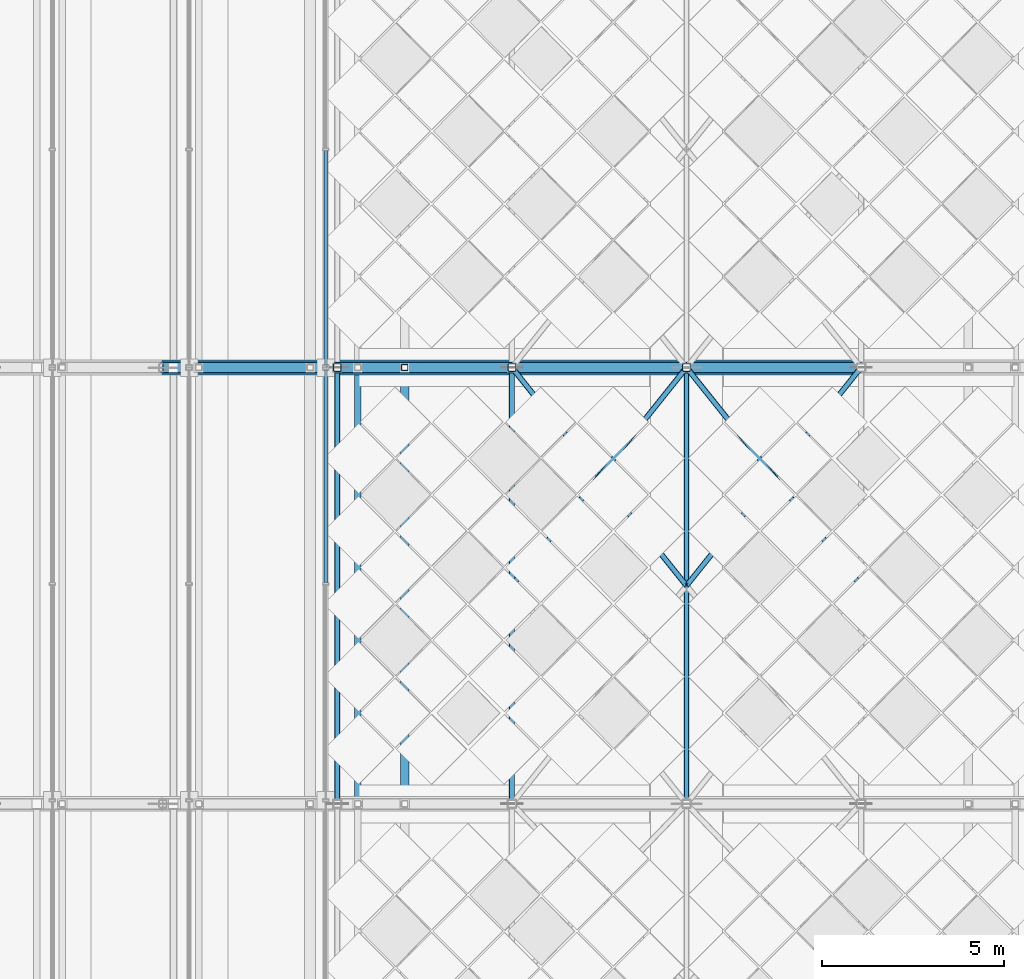
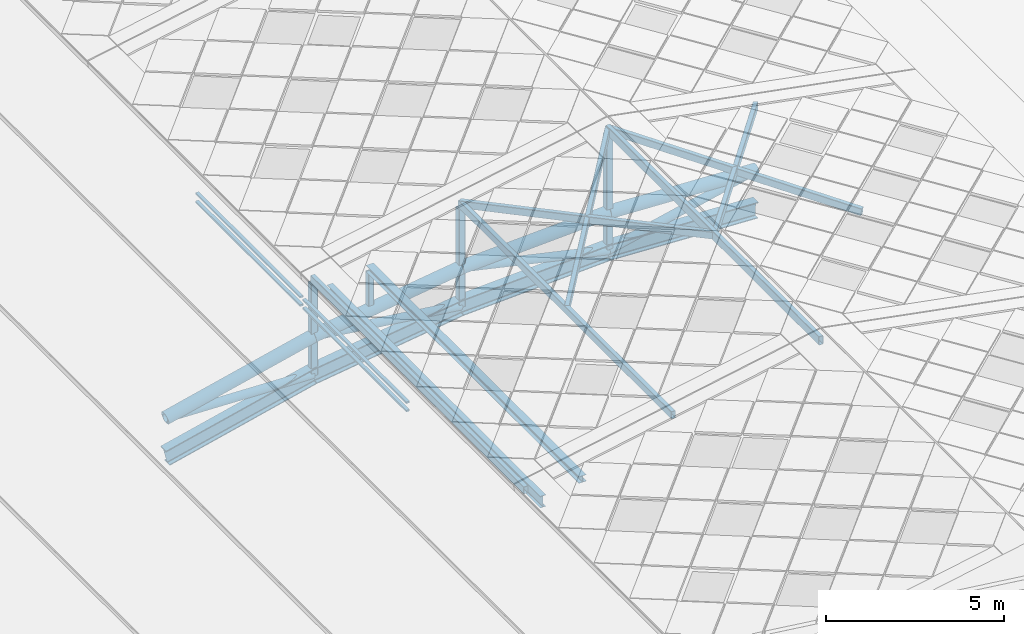
# One storey, part 13 of 117: 29 members, 2 elements without a shape of their own.
"""IFC4 building model written with IfcOpenShell, lengths in metres."""

from ifc_helpers import new_model, si_unit, direction, frame, origin, origin_2d, place, context, subcontext, project, spatial, hollow_rectangle, hollow_circle, i_section, extrude, material, material_profile, profile_set, type_object, element, aggregate, save


model = new_model("IFC4")

# Units and contexts
model_context = context("Model", 3, precision=1e-05, world=origin(), true_north=direction((0.0, 1.0)))
body_context = subcontext(model_context, "Body", "Model", "MODEL_VIEW")
ifc_project = project(units=[si_unit("LENGTHUNIT", "METRE"), si_unit("AREAUNIT", "SQUARE_METRE"), si_unit("VOLUMEUNIT", "CUBIC_METRE"), si_unit("PLANEANGLEUNIT", "RADIAN"), si_unit("MASSUNIT", "GRAM", prefix="KILO")], contexts=[model_context])

# Site, building, storey
site_placement = place(None, origin())
site = spatial("IfcSite", under=ifc_project, at=site_placement, CompositionType="ELEMENT")
building_placement = place(site_placement, origin())
building = spatial("IfcBuilding", under=site, at=building_placement, Name="Merenkruunu Market Hall", CompositionType="ELEMENT")
storey_placement = place(building_placement, frame((0.0, 0.0, 22.800048828125)))
storey = spatial("IfcBuildingStorey", under=building, at=storey_placement, Name="RF", CompositionType="ELEMENT", Elevation=22.800048828125)

# Members
ifc_material_1 = material(Name="Steel S355ML", Category="steel")
ifc_material_profile_1 = material_profile(ifc_material_1, hollow_circle(Radius=0.203125, WallThickness=0.01611328125, at=origin_2d()), Name="CHS 406.4x16")
ifc_profile_set_1 = profile_set([ifc_material_profile_1], Name="Steel S355ML")
member_type_1 = type_object("IfcMemberType", Name="Arch Truss Chord TC02", PredefinedType="CHORD", material=ifc_profile_set_1)
member_1_placement = place(storey_placement, frame((14.39990234375, 39.60009765625, -3.47998046875), z_axis=(0.972941974064, 0.0, 0.231049594471), x_axis=(0.0, 1.0, 0.0)))
element("IfcMember", 1, at=member_1_placement, inside=storey, type_object=member_type_1, Name="TRUSS-AT-3-TOP-04", PredefinedType="CHORD", context=body_context, shape_type="SweptSolid", body=[
    extrude(hollow_circle(Radius=0.203125, WallThickness=0.01611328125, at=origin_2d()), origin(), (0.0, 0.0, 1.0), 4.93359375),
])
member_2_placement = place(storey_placement, frame((19.199951171875, 39.60009765625, -2.340087890625), z_axis=(0.990338564897, 0.0, 0.138670569613), x_axis=(0.0, 1.0, 0.0)))
element("IfcMember", 2, at=member_2_placement, inside=storey, type_object=member_type_1, Name="TRUSS-AT-3-TOP-05", PredefinedType="CHORD", context=body_context, shape_type="SweptSolid", body=[
    extrude(hollow_circle(Radius=0.203125, WallThickness=0.01611328125, at=origin_2d()), origin(), (0.0, 0.0, 1.0), 4.846923828125),
])
for number, where, z_axis, x_axis, name in (
    (3, (24.0, 39.60009765625, -1.66796875), (0.998932934692, 0.0, 0.046184326211), (0.0, 1.0, 0.0), "TRUSS-AT-3-TOP-06"),
    (4, (28.800048828125, 39.60009765625, -1.446044921875), (0.998932934692, 0.0, -0.046184326211), (0.0, 1.0, 0.0), "TRUSS-AT-3-TOP-07"),
):
    element("IfcMember", number, at=place(storey_placement, frame(where, z_axis=z_axis, x_axis=x_axis)), inside=storey, type_object=member_type_1, Name=name, PredefinedType="CHORD", context=body_context, shape_type="SweptSolid", body=[
        extrude(hollow_circle(Radius=0.203125, WallThickness=0.01611328125, at=origin_2d()), origin(), (0.0, 0.0, 1.0), 4.80517578125),
    ])
ifc_material_profile_2 = material_profile(ifc_material_1, i_section(OverallWidth=0.300048828125, OverallDepth=0.550048828125, WebThickness=0.014892578125, FlangeThickness=0.029052734375, FilletRadius=0.027099609375, at=origin_2d()), Name="HEB 550")
ifc_profile_set_2 = profile_set([ifc_material_profile_2], Name="Steel S355ML")
member_type_2 = type_object("IfcMemberType", Name="Arch Truss Chord TC03", PredefinedType="CHORD", material=ifc_profile_set_2)
member_3_placement = place(storey_placement, frame((14.39990234375, 39.60009765625, -4.780029296875), z_axis=(0.972941974064, 0.0, 0.231049594471), x_axis=(0.0, 1.0, 0.0)))
element("IfcMember", 5, at=member_3_placement, inside=storey, type_object=member_type_2, Name="TRUSS-AT-3-BOT-04", PredefinedType="CHORD", context=body_context, shape_type="SweptSolid", body=[
    extrude(i_section(OverallWidth=0.300048828125, OverallDepth=0.550048828125, WebThickness=0.014892578125, FlangeThickness=0.029052734375, FilletRadius=0.027099609375, at=origin_2d()), origin(), (0.0, 0.0, 1.0), 4.93359375),
])
member_4_placement = place(storey_placement, frame((19.199951171875, 39.60009765625, -3.64013671875), z_axis=(0.990338564897, 0.0, 0.138670569613), x_axis=(0.0, 1.0, 0.0)))
element("IfcMember", 6, at=member_4_placement, inside=storey, type_object=member_type_2, Name="TRUSS-AT-3-BOT-05", PredefinedType="CHORD", context=body_context, shape_type="SweptSolid", body=[
    extrude(i_section(OverallWidth=0.300048828125, OverallDepth=0.550048828125, WebThickness=0.014892578125, FlangeThickness=0.029052734375, FilletRadius=0.027099609375, at=origin_2d()), origin(), (0.0, 0.0, 1.0), 4.846923828125),
])
for number, where, z_axis, x_axis, name in (
    (7, (24.0, 39.60009765625, -2.968017578125), (0.998932934692, 0.0, 0.046184326211), (0.0, 1.0, 0.0), "TRUSS-AT-3-BOT-06"),
    (8, (28.800048828125, 39.60009765625, -2.74609375), (0.998932934692, 0.0, -0.046184326211), (0.0, 1.0, 0.0), "TRUSS-AT-3-BOT-07"),
):
    element("IfcMember", number, at=place(storey_placement, frame(where, z_axis=z_axis, x_axis=x_axis)), inside=storey, type_object=member_type_2, Name=name, PredefinedType="CHORD", context=body_context, shape_type="SweptSolid", body=[
        extrude(i_section(OverallWidth=0.300048828125, OverallDepth=0.550048828125, WebThickness=0.014892578125, FlangeThickness=0.029052734375, FilletRadius=0.027099609375, at=origin_2d()), origin(), (0.0, 0.0, 1.0), 4.80517578125),
    ])

# Curtain wall, members
ifc_material_2 = material(Name="Powder-coated aluminium", Category="aluminium")
curtain_wall_type = type_object("IfcCurtainWallType", Name="Clerestory Curtain Band CL05", PredefinedType="USERDEFINED", material=ifc_material_2)
curtain_wall_1_placement = place(storey_placement, origin())
curtain_wall_1 = element("IfcCurtainWall", 9, at=curtain_wall_1_placement, inside=storey, type_object=curtain_wall_type, Name="CW-RF-CWM04-113", ObjectType="CLERESTORY_BAND", PredefinedType="USERDEFINED")
ifc_material_profile_3 = material_profile(ifc_material_2, hollow_rectangle(XDim=0.06005859375, YDim=0.110107421875, WallThickness=0.00390625, at=origin_2d()), Name="ALU 60x110x4")
ifc_profile_set_3 = profile_set([ifc_material_profile_3], Name="Powder-coated aluminium")
member_type_3 = type_object("IfcMemberType", Name="Curtain Wall Transom CWT03", PredefinedType="USERDEFINED", material=ifc_profile_set_3)
member_5_placement = place(storey_placement, frame((18.8798828125, 33.68505859375, -1.212158203125), z_axis=(0.0, 1.0, 0.0), x_axis=(0.0, 0.0, 1.0)))
member_5 = element("IfcMember", 10, at=member_5_placement, type_object=member_type_3, Name="CL05 transom 4.1", ObjectType="TRANSOM", PredefinedType="USERDEFINED", context=body_context, shape_type="SweptSolid", body=[
    extrude(hollow_rectangle(XDim=0.06005859375, YDim=0.110107421875, WallThickness=0.00390625, at=origin_2d()), origin(), (0.0, 0.0, 1.0), 5.844970703125),
])
member_6_placement = place(storey_placement, frame((18.8798828125, 33.68505859375, -0.924072265625), z_axis=(0.0, 1.0, 0.0), x_axis=(0.0, 0.0, 1.0)))
member_6 = element("IfcMember", 11, at=member_6_placement, type_object=member_type_3, Name="CL05 transom 4.2", ObjectType="TRANSOM", PredefinedType="USERDEFINED", context=body_context, shape_type="SweptSolid", body=[
    extrude(hollow_rectangle(XDim=0.06005859375, YDim=0.110107421875, WallThickness=0.00390625, at=origin_2d()), origin(), (0.0, 0.0, 1.0), 5.844970703125),
])
aggregate(curtain_wall_1, [member_5, member_6])

curtain_wall_2_placement = place(storey_placement, origin())
curtain_wall_2 = element("IfcCurtainWall", 12, at=curtain_wall_2_placement, inside=storey, type_object=curtain_wall_type, Name="CW-RF-CWM04-115", ObjectType="CLERESTORY_BAND", PredefinedType="USERDEFINED")
member_7_placement = place(storey_placement, frame((18.8798828125, 39.669921875, -1.212158203125), z_axis=(0.0, 1.0, 0.0), x_axis=(0.0, 0.0, 1.0)))
member_7 = element("IfcMember", 13, at=member_7_placement, type_object=member_type_3, Name="CL05 transom 1.1", ObjectType="TRANSOM", PredefinedType="USERDEFINED", context=body_context, shape_type="SweptSolid", body=[
    extrude(hollow_rectangle(XDim=0.06005859375, YDim=0.110107421875, WallThickness=0.00390625, at=origin_2d()), origin(), (0.0, 0.0, 1.0), 5.89501953125),
])
member_8_placement = place(storey_placement, frame((18.8798828125, 39.669921875, -0.924072265625), z_axis=(0.0, 1.0, 0.0), x_axis=(0.0, 0.0, 1.0)))
member_8 = element("IfcMember", 14, at=member_8_placement, type_object=member_type_3, Name="CL05 transom 1.2", ObjectType="TRANSOM", PredefinedType="USERDEFINED", context=body_context, shape_type="SweptSolid", body=[
    extrude(hollow_rectangle(XDim=0.06005859375, YDim=0.110107421875, WallThickness=0.00390625, at=origin_2d()), origin(), (0.0, 0.0, 1.0), 5.89501953125),
])
aggregate(curtain_wall_2, [member_7, member_8])

# Members
ifc_material_profile_4 = material_profile(ifc_material_1, hollow_circle(Radius=0.136474609375, WallThickness=0.012451171875, at=origin_2d()), Name="CHS 273x12.5")
ifc_profile_set_4 = profile_set([ifc_material_profile_4], Name="Steel S355ML")
member_type_4 = type_object("IfcMemberType", Name="Diagonal Sway Brace BR02", PredefinedType="BRACE", material=ifc_profile_set_4)
member_9_placement = place(storey_placement, frame((14.39990234375, 39.60009765625, -3.47998046875), z_axis=(0.999443834494, 0.0, -0.033346989239), x_axis=(0.0, 1.0, 0.0)))
element("IfcMember", 15, at=member_9_placement, inside=storey, type_object=member_type_4, Name="TRUSS-AT-3-DIAG-04", PredefinedType="BRACE", context=body_context, shape_type="SweptSolid", body=[
    extrude(hollow_circle(Radius=0.136474609375, WallThickness=0.012451171875, at=origin_2d()), origin(), (0.0, 0.0, 1.0), 4.802734375),
])
member_10_placement = place(storey_placement, frame((19.199951171875, 39.60009765625, -2.340087890625), z_axis=(0.991551689691, 0.0, -0.129712168551), x_axis=(0.0, 1.0, 0.0)))
element("IfcMember", 16, at=member_10_placement, inside=storey, type_object=member_type_4, Name="TRUSS-AT-3-DIAG-05", PredefinedType="BRACE", context=body_context, shape_type="SweptSolid", body=[
    extrude(hollow_circle(Radius=0.136474609375, WallThickness=0.012451171875, at=origin_2d()), origin(), (0.0, 0.0, 1.0), 4.841064453125),
])
for number, where, z_axis, x_axis, name in (
    (17, (24.0, 39.60009765625, -1.66796875), (0.975691787326, 0.0, -0.219147293262), (0.0, 1.0, 0.0), "TRUSS-AT-3-DIAG-06"),
    (18, (28.800048828125, 39.60009765625, -2.74609375), (0.975691787326, 0.0, 0.219147293262), (0.0, 1.0, 0.0), "TRUSS-AT-3-DIAG-07"),
):
    element("IfcMember", number, at=place(storey_placement, frame(where, z_axis=z_axis, x_axis=x_axis)), inside=storey, type_object=member_type_4, Name=name, PredefinedType="BRACE", context=body_context, shape_type="SweptSolid", body=[
        extrude(hollow_circle(Radius=0.136474609375, WallThickness=0.012451171875, at=origin_2d()), origin(), (0.0, 0.0, 1.0), 4.919677734375),
    ])
ifc_material_3 = material(Name="Steel S355J2", Category="steel")
ifc_material_profile_5 = material_profile(ifc_material_3, hollow_rectangle(XDim=0.219970703125, YDim=0.219970703125, WallThickness=0.012451171875, InnerFilletRadius=0.012451171875, OuterFilletRadius=0.02490234375, at=origin_2d()), Name="SHS 220x220x12.5")
ifc_profile_set_5 = profile_set([ifc_material_profile_5], Name="Steel S355J2")
member_type_5 = type_object("IfcMemberType", Name="Diagonal Sway Brace BR04", PredefinedType="BRACE", material=ifc_profile_set_5)
member_11_placement = place(storey_placement, frame((19.199951171875, 39.60009765625, -3.64013671875), z_axis=(0.0, 0.0, 1.0), x_axis=(1.0, 0.0, 0.0)))
element("IfcMember", 19, at=member_11_placement, inside=storey, type_object=member_type_5, Name="TRUSS-AT-3-POST-04", PredefinedType="BRACE", context=body_context, shape_type="SweptSolid", body=[
    extrude(hollow_rectangle(XDim=0.219970703125, YDim=0.219970703125, WallThickness=0.012451171875, InnerFilletRadius=0.012451171875, OuterFilletRadius=0.02490234375, at=origin_2d()), origin(), (0.0, 0.0, 1.0), 3.1416015625),
])
member_12_placement = place(storey_placement, frame((24.0, 39.60009765625, -2.968017578125), z_axis=(0.0, 0.0, 1.0), x_axis=(1.0, 0.0, 0.0)))
element("IfcMember", 20, at=member_12_placement, inside=storey, type_object=member_type_5, Name="TRUSS-AT-3-POST-05", PredefinedType="BRACE", context=body_context, shape_type="SweptSolid", body=[
    extrude(hollow_rectangle(XDim=0.219970703125, YDim=0.219970703125, WallThickness=0.012451171875, InnerFilletRadius=0.012451171875, OuterFilletRadius=0.02490234375, at=origin_2d()), origin(), (0.0, 0.0, 1.0), 3.3720703125),
])
member_13_placement = place(storey_placement, frame((28.800048828125, 39.60009765625, -2.74609375), z_axis=(0.0, 0.0, 1.0), x_axis=(1.0, 0.0, 0.0)))
element("IfcMember", 21, at=member_13_placement, inside=storey, type_object=member_type_5, Name="TRUSS-AT-3-POST-06", PredefinedType="BRACE", context=body_context, shape_type="SweptSolid", body=[
    extrude(hollow_rectangle(XDim=0.219970703125, YDim=0.219970703125, WallThickness=0.012451171875, InnerFilletRadius=0.012451171875, OuterFilletRadius=0.02490234375, at=origin_2d()), origin(), (0.0, 0.0, 1.0), 4.00244140625),
])
ifc_material_profile_6 = material_profile(ifc_material_3, hollow_rectangle(XDim=0.179931640625, YDim=0.179931640625, WallThickness=0.010009765625, InnerFilletRadius=0.010009765625, OuterFilletRadius=0.02001953125, at=origin_2d()), Name="SHS 180x180x10")
ifc_profile_set_6 = profile_set([ifc_material_profile_6], Name="Steel S355J2")
member_type_6 = type_object("IfcMemberType", Name="Diagonal Sway Brace BR05", PredefinedType="BRACE", material=ifc_profile_set_6)
member_14_placement = place(storey_placement, frame((21.050048828125, 39.60009765625, -1.889892578125), z_axis=(0.0, 0.0, 1.0), x_axis=(1.0, 0.0, 0.0)))
element("IfcMember", 22, at=member_14_placement, inside=storey, type_object=member_type_6, Name="TRUSS-AT-3-RISER-W6-2", PredefinedType="BRACE", context=body_context, shape_type="SweptSolid", body=[
    extrude(hollow_rectangle(XDim=0.179931640625, YDim=0.179931640625, WallThickness=0.010009765625, InnerFilletRadius=0.010009765625, OuterFilletRadius=0.02001953125, at=origin_2d()), origin(), (0.0, 0.0, 1.0), 1.12841796875),
])
ifc_material_profile_7 = material_profile(ifc_material_1, hollow_rectangle(XDim=0.14990234375, YDim=0.25, WallThickness=0.010009765625, InnerFilletRadius=0.010009765625, OuterFilletRadius=0.02001953125, at=origin_2d()), Name="RHS 250x150x10")
ifc_profile_set_7 = profile_set([ifc_material_profile_7], Name="Steel S355ML")
member_type_7 = type_object("IfcMemberType", Name="Roof Purlin Rafter PR04", PredefinedType="PURLIN", material=ifc_profile_set_7)
for number, where, z_axis, x_axis, name in (
    (23, (19.199951171875, 27.60009765625, -0.35546875), (0.0, 1.0, 0.0), (-1.0, 0.0, 0.0), "MEM-CROWN-EAVE-015"),
    (24, (24.0, 27.60009765625, 0.546875), (0.0, 1.0, 0.0), (-1.0, 0.0, 0.0), "MEM-CROWN-MID-016"),
):
    element("IfcMember", number, at=place(storey_placement, frame(where, z_axis=z_axis, x_axis=x_axis)), inside=storey, type_object=member_type_7, Name=name, PredefinedType="PURLIN", context=body_context, shape_type="SweptSolid", body=[
        extrude(hollow_rectangle(XDim=0.14990234375, YDim=0.25, WallThickness=0.010009765625, InnerFilletRadius=0.010009765625, OuterFilletRadius=0.02001953125, at=origin_2d()), origin(), (0.0, 0.0, 1.0), 12.0),
    ])
for number, where, z_axis, x_axis, name in (
    (25, (24.0, 33.60009765625, 0.546875), (0.620665210201, 0.775823620665, 0.11345662812), (-0.780865709579, 0.624698922365, 0.0), "MEM-CROWN-DIAG-019"),
    (26, (28.800048828125, 33.60009765625, 1.42431640625), (-0.620665210201, 0.775823620665, -0.11345662812), (-0.780865709579, -0.624698922365, 0.0), "MEM-CROWN-DIAG-020"),
    (27, (33.60009765625, 33.60009765625, 0.546875), (-0.620665210201, 0.775823620665, 0.11345662812), (-0.780865709579, -0.624698922365, 0.0), "MEM-CROWN-DIAG-025"),
    (28, (28.800048828125, 33.60009765625, 1.42431640625), (0.620665210201, 0.775823620665, -0.11345662812), (-0.780865709579, 0.624698922365, 0.0), "MEM-CROWN-DIAG-026"),
):
    element("IfcMember", number, at=place(storey_placement, frame(where, z_axis=z_axis, x_axis=x_axis)), inside=storey, type_object=member_type_7, Name=name, PredefinedType="PURLIN", context=body_context, shape_type="SweptSolid", body=[
        extrude(hollow_rectangle(XDim=0.14990234375, YDim=0.25, WallThickness=0.010009765625, InnerFilletRadius=0.010009765625, OuterFilletRadius=0.02001953125, at=origin_2d()), origin(), (0.0, 0.0, 1.0), 7.733642578125),
    ])
ifc_material_profile_8 = material_profile(ifc_material_1, hollow_rectangle(XDim=0.14990234375, YDim=0.300048828125, WallThickness=0.012451171875, InnerFilletRadius=0.012451171875, OuterFilletRadius=0.02490234375, at=origin_2d()), Name="RHS 300x150x12.5")
ifc_profile_set_8 = profile_set([ifc_material_profile_8], Name="Steel S355ML")
member_type_8 = type_object("IfcMemberType", Name="Roof Purlin Rafter PR05", PredefinedType="PURLIN", material=ifc_profile_set_8)
member_15_placement = place(storey_placement, frame((28.800048828125, 27.60009765625, 1.42431640625), z_axis=(0.0, 1.0, 0.0), x_axis=(-1.0, 0.0, 0.0)))
element("IfcMember", 29, at=member_15_placement, inside=storey, type_object=member_type_8, Name="MEM-CROWN-RIDGE-014", PredefinedType="PURLIN", context=body_context, shape_type="SweptSolid", body=[
    extrude(hollow_rectangle(XDim=0.14990234375, YDim=0.300048828125, WallThickness=0.012451171875, InnerFilletRadius=0.012451171875, OuterFilletRadius=0.02490234375, at=origin_2d()), origin(), (0.0, 0.0, 1.0), 12.0),
])
ifc_material_profile_9 = material_profile(ifc_material_1, i_section(OverallWidth=0.239990234375, OverallDepth=0.22998046875, WebThickness=0.007568359375, FlangeThickness=0.011962890625, FilletRadius=0.02099609375, at=origin_2d()), Name="HEA 240")
ifc_profile_set_9 = profile_set([ifc_material_profile_9], Name="Steel S355ML")
member_type_9 = type_object("IfcMemberType", Name="Roof Purlin Rafter PR08", PredefinedType="PURLIN", material=ifc_profile_set_9)
member_16_placement = place(storey_placement, frame((21.050048828125, 27.60009765625, -0.62841796875), z_axis=(0.0, 1.0, 0.0), x_axis=(-1.0, 0.0, 0.0)))
element("IfcMember", 30, at=member_16_placement, inside=storey, type_object=member_type_9, Name="MEM-RF-PURL-W-179", PredefinedType="PURLIN", context=body_context, shape_type="SweptSolid", body=[
    extrude(i_section(OverallWidth=0.239990234375, OverallDepth=0.22998046875, WebThickness=0.007568359375, FlangeThickness=0.011962890625, FilletRadius=0.02099609375, at=origin_2d()), origin(), (0.0, 0.0, 1.0), 12.0),
])
ifc_material_profile_10 = material_profile(ifc_material_1, i_section(OverallWidth=0.179931640625, OverallDepth=0.39990234375, WebThickness=0.008544921875, FlangeThickness=0.013427734375, FilletRadius=0.02099609375, at=origin_2d()), Name="IPE 400")
ifc_profile_set_10 = profile_set([ifc_material_profile_10], Name="Steel S355ML")
member_type_10 = type_object("IfcMemberType", Name="Roof Purlin Rafter PR09", PredefinedType="PURLIN", material=ifc_profile_set_10)
member_17_placement = place(storey_placement, frame((19.760009765625, 27.60009765625, -0.947021484375), z_axis=(0.0, 1.0, 0.0), x_axis=(-1.0, 0.0, 0.0)))
element("IfcMember", 31, at=member_17_placement, inside=storey, type_object=member_type_10, Name="MEM-RF-PURL-W-163", PredefinedType="PURLIN", context=body_context, shape_type="SweptSolid", body=[
    extrude(i_section(OverallWidth=0.179931640625, OverallDepth=0.39990234375, WebThickness=0.008544921875, FlangeThickness=0.013427734375, FilletRadius=0.02099609375, at=origin_2d()), origin(), (0.0, 0.0, 1.0), 12.0),
])

save(model, "model.ifc")
